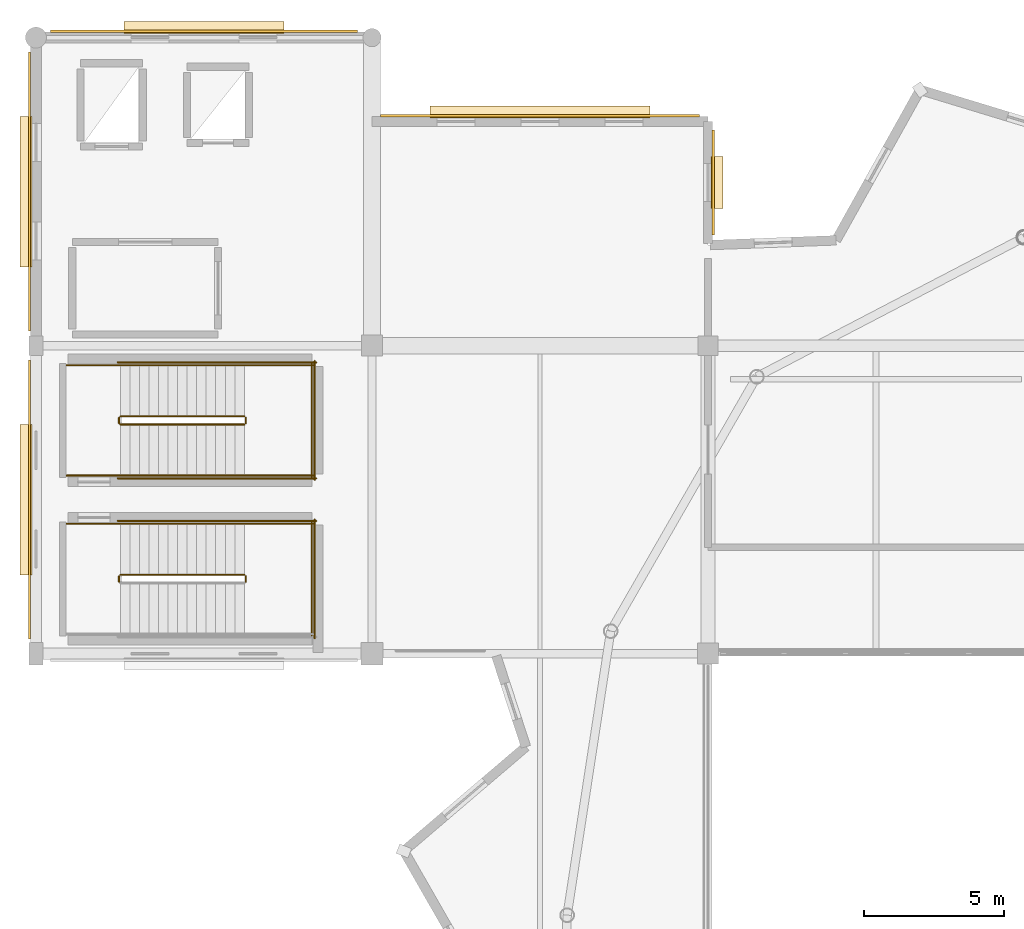
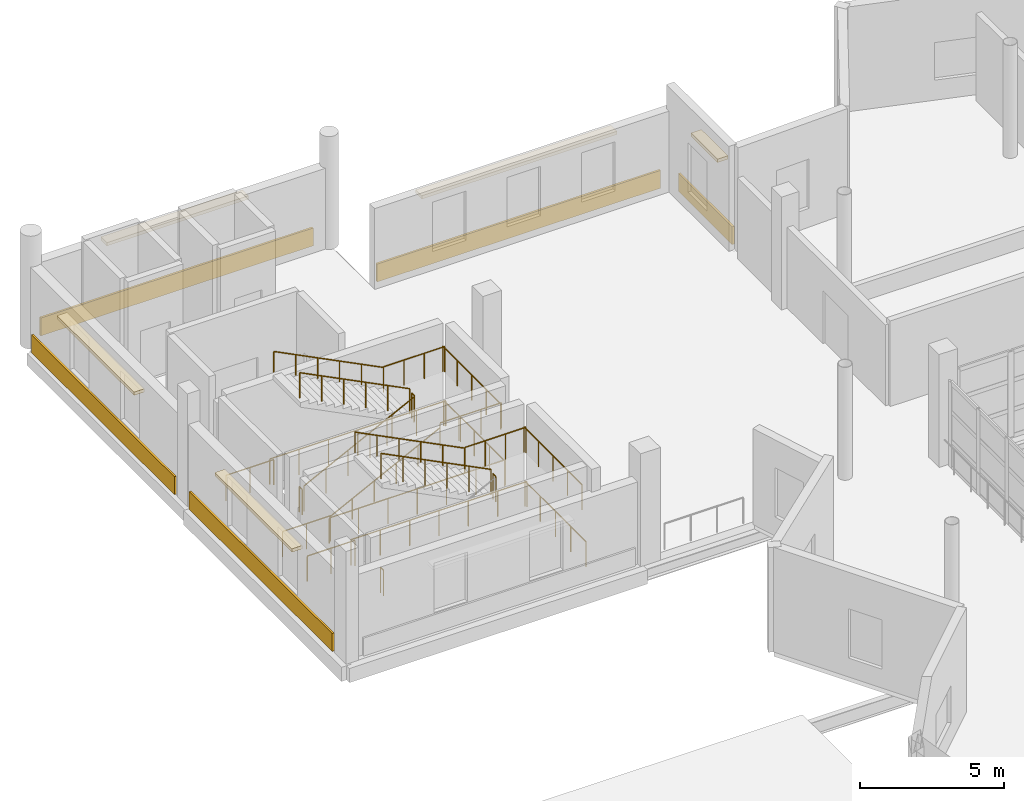
# One storey, part 50 of 53: 23 railings, 10 coverings.
"""IFC4 building model written with IfcOpenShell, lengths in metres."""

from ifc_helpers import new_model, si_unit, direction, frame, origin, origin_2d, place, context, subcontext, project, spatial, rectangle, circle, extrude, material, layer, layer_set, type_object, element, save


model = new_model("IFC4")

# Units and contexts
model_context = context("Model", 3, precision=1e-05, world=origin(), true_north=direction((0.0, 1.0)))
body_context = subcontext(model_context, "Body", "Model", "MODEL_VIEW")
ifc_project = project(units=[si_unit("LENGTHUNIT", "METRE"), si_unit("AREAUNIT", "SQUARE_METRE"), si_unit("VOLUMEUNIT", "CUBIC_METRE"), si_unit("PLANEANGLEUNIT", "RADIAN"), si_unit("MASSUNIT", "GRAM", prefix="KILO")], contexts=[model_context])

# Site, building, storey
site_placement = place(None, origin())
site = spatial("IfcSite", under=ifc_project, at=site_placement, CompositionType="ELEMENT")
building_placement = place(site_placement, origin())
building = spatial("IfcBuilding", under=site, at=building_placement, Name="Luwafu Chhajja Arena", CompositionType="ELEMENT")
storey_placement = place(building_placement, frame((0.0, 0.0, 19.5)))
storey = spatial("IfcBuildingStorey", under=building, at=storey_placement, Name="L04", CompositionType="ELEMENT", Elevation=19.5)

# Coverings
ifc_material_1 = material(Name="Red laterite sandstone cladding", Category="masonry")
ifc_layer = layer(ifc_material_1, 0.074951171875, Name="Red laterite sandstone cladding")
ifc_layer_set = layer_set([ifc_layer], Name="Red laterite sandstone cladding")
covering_type = type_object("IfcCoveringType", Name="Dressed Red-Laterite Sandstone Cladding", PredefinedType="CLADDING", material=ifc_layer_set)
covering_1_placement = place(storey_placement, frame((33.76806640625, 82.5, 0.0), z_axis=(0.0, 0.0, 1.0), x_axis=(0.0, 1.0, 0.0)))
element("IfcCovering", 1, at=covering_1_placement, inside=storey, type_object=covering_type, Name="L04 Red-Laterite Sandstone Plinth Cladding 109", PredefinedType="CLADDING", context=body_context, shape_type="SweptSolid", body=[
    extrude(rectangle(XDim=9.9599609375, YDim=0.0849609375, at=origin_2d()), origin(), (0.0, 0.0, 1.0), 0.760009765625),
])
covering_2_placement = place(storey_placement, frame((33.639892578125, 82.5, 2.93017578125), z_axis=(0.0, 0.0, 1.0), x_axis=(0.0, 1.0, 0.0)))
element("IfcCovering", 2, at=covering_2_placement, inside=storey, type_object=covering_type, Name="L04 Mughal Sandstone Window Chhajja Hood 0101", PredefinedType="CLADDING", context=body_context, shape_type="SweptSolid", body=[
    extrude(rectangle(XDim=5.3701171875, YDim=0.419921875, at=origin_2d()), origin(), (0.0, 0.0, 1.0), 0.139892578125),
])
covering_3_placement = place(storey_placement, frame((40.0, 99.23193359375, 0.0), z_axis=(0.0, 0.0, 1.0), x_axis=(1.0, 0.0, 0.0)))
element("IfcCovering", 3, at=covering_3_placement, inside=storey, type_object=covering_type, Name="L04 Red-Laterite Sandstone Plinth Cladding 110", PredefinedType="CLADDING", context=body_context, shape_type="SweptSolid", body=[
    extrude(rectangle(XDim=10.9599609375, YDim=0.0849609375, at=origin_2d()), origin(), (0.0, 0.0, 1.0), 0.760009765625),
])
covering_4_placement = place(storey_placement, frame((40.0, 99.360107421875, 2.93017578125), z_axis=(0.0, 0.0, 1.0), x_axis=(1.0, 0.0, 0.0)))
element("IfcCovering", 4, at=covering_4_placement, inside=storey, type_object=covering_type, Name="L04 Mughal Sandstone Window Chhajja Hood 0102", PredefinedType="CLADDING", context=body_context, shape_type="SweptSolid", body=[
    extrude(rectangle(XDim=5.703369140625, YDim=0.419921875, at=origin_2d()), origin(), (0.0, 0.0, 1.0), 0.139892578125),
])
covering_5_placement = place(storey_placement, frame((33.76806640625, 93.5, 0.0), z_axis=(0.0, 0.0, 1.0), x_axis=(0.0, 1.0, 0.0)))
element("IfcCovering", 5, at=covering_5_placement, inside=storey, type_object=covering_type, Name="L04 Red-Laterite Sandstone Plinth Cladding 111", PredefinedType="CLADDING", context=body_context, shape_type="SweptSolid", body=[
    extrude(rectangle(XDim=9.9599609375, YDim=0.0849609375, at=origin_2d()), origin(), (0.0, 0.0, 1.0), 0.760009765625),
])
covering_6_placement = place(storey_placement, frame((33.639892578125, 93.5, 2.93017578125), z_axis=(0.0, 0.0, 1.0), x_axis=(0.0, 1.0, 0.0)))
element("IfcCovering", 6, at=covering_6_placement, inside=storey, type_object=covering_type, Name="L04 Mughal Sandstone Window Chhajja Hood 0103", PredefinedType="CLADDING", context=body_context, shape_type="SweptSolid", body=[
    extrude(rectangle(XDim=5.3701171875, YDim=0.419921875, at=origin_2d()), origin(), (0.0, 0.0, 1.0), 0.139892578125),
])
covering_7_placement = place(storey_placement, frame((52.0, 96.2119140625, 0.0), z_axis=(0.0, 0.0, 1.0), x_axis=(1.0, 0.0, 0.0)))
element("IfcCovering", 7, at=covering_7_placement, inside=storey, type_object=covering_type, Name="L04 Red-Laterite Sandstone Plinth Cladding 113", PredefinedType="CLADDING", context=body_context, shape_type="SweptSolid", body=[
    extrude(rectangle(XDim=11.39990234375, YDim=0.0849609375, at=origin_2d()), origin(), (0.0, 0.0, 1.0), 0.760009765625),
])
covering_8_placement = place(storey_placement, frame((52.0, 96.340087890625, 2.93017578125), z_axis=(0.0, 0.0, 1.0), x_axis=(1.0, 0.0, 0.0)))
element("IfcCovering", 8, at=covering_8_placement, inside=storey, type_object=covering_type, Name="L04 Mughal Sandstone Window Chhajja Hood 0105", PredefinedType="CLADDING", context=body_context, shape_type="SweptSolid", body=[
    extrude(rectangle(XDim=7.85009765625, YDim=0.419921875, at=origin_2d()), origin(), (0.0, 0.0, 1.0), 0.139892578125),
])
covering_9_placement = place(storey_placement, frame((58.19189453125, 93.825927734375, 0.0), z_axis=(0.0, 0.0, 1.0), x_axis=(0.0, 1.0, 0.0)))
element("IfcCovering", 9, at=covering_9_placement, inside=storey, type_object=covering_type, Name="L04 Red-Laterite Sandstone Plinth Cladding 114", PredefinedType="CLADDING", context=body_context, shape_type="SweptSolid", body=[
    extrude(rectangle(XDim=3.748291015625, YDim=0.0849609375, at=origin_2d()), origin(), (0.0, 0.0, 1.0), 0.760009765625),
])
covering_10_placement = place(storey_placement, frame((58.320068359375, 93.82568359375, 2.93017578125), z_axis=(0.0, 0.0, 1.0), x_axis=(0.0, 1.0, 0.0)))
element("IfcCovering", 10, at=covering_10_placement, inside=storey, type_object=covering_type, Name="L04 Mughal Sandstone Window Chhajja Hood 0106", PredefinedType="CLADDING", context=body_context, shape_type="SweptSolid", body=[
    extrude(rectangle(XDim=1.85009765625, YDim=0.419921875, at=origin_2d()), origin(), (0.0, 0.0, 1.0), 0.139892578125),
])

# Railings
ifc_material_2 = material(Name="Stainless steel handrail", Category="steel")
railing_type_1 = type_object("IfcRailingType", Name="Stair Pitch Wall Handrail 920", PredefinedType="HANDRAIL", material=ifc_material_2)
railing_1_placement = place(storey_placement, frame((41.43994140625, 81.639892578125, 2.571533203125)))
element("IfcRailing", 11, at=railing_1_placement, inside=storey, type_object=railing_type_1, Name="L04 ST-05 stair handrail 2", PredefinedType="HANDRAIL", context=body_context, shape_type="SweptSolid", body=[
    extrude(circle(Radius=0.02392578125, at=origin_2d()), frame((0.0, 0.0, 0.8759765625), z_axis=(-0.89292277971, 0.0, 0.450209850486), x_axis=(0.0, -1.0, 0.0)), (0.0, 0.0, 1.0), 4.949951171875),
    extrude(circle(Radius=0.02099609375, at=origin_2d()), origin(), (0.0, 0.0, 1.0), 0.851806640625),
    extrude(circle(Radius=0.02099609375, at=origin_2d()), frame((-0.884033203125, 0.0, 0.44580078125)), (0.0, 0.0, 1.0), 0.851806640625),
    extrude(circle(Radius=0.02099609375, at=origin_2d()), frame((-1.76806640625, 0.0, 0.891357421875)), (0.0, 0.0, 1.0), 0.851806640625),
    extrude(circle(Radius=0.02099609375, at=origin_2d()), frame((-2.65185546875, 0.0, 1.337158203125)), (0.0, 0.0, 1.0), 0.851806640625),
    extrude(circle(Radius=0.02099609375, at=origin_2d()), frame((-3.535888671875, 0.0, 1.78271484375)), (0.0, 0.0, 1.0), 0.851806640625),
    extrude(circle(Radius=0.02099609375, at=origin_2d()), frame((-4.419921875, 0.0, 2.228515625)), (0.0, 0.0, 1.0), 0.851806640625),
])
railing_2_placement = place(storey_placement, frame((37.02001953125, 83.360107421875, 0.17138671875)))
element("IfcRailing", 12, at=railing_2_placement, inside=storey, type_object=railing_type_1, Name="L04 ST-06 stair handrail 1", PredefinedType="HANDRAIL", context=body_context, shape_type="SweptSolid", body=[
    extrude(circle(Radius=0.02392578125, at=origin_2d()), frame((0.0, 0.0, 0.8759765625), z_axis=(0.89292277971, 0.0, 0.450209850486), x_axis=(0.0, 1.0, 0.0)), (0.0, 0.0, 1.0), 4.949951171875),
    extrude(circle(Radius=0.02099609375, at=origin_2d()), origin(), (0.0, 0.0, 1.0), 0.851806640625),
    extrude(circle(Radius=0.02099609375, at=origin_2d()), frame((0.884033203125, 0.0, 0.44580078125)), (0.0, 0.0, 1.0), 0.851806640625),
    extrude(circle(Radius=0.02099609375, at=origin_2d()), frame((1.76806640625, 0.0, 0.891357421875)), (0.0, 0.0, 1.0), 0.851806640625),
    extrude(circle(Radius=0.02099609375, at=origin_2d()), frame((2.65185546875, 0.0, 1.337158203125)), (0.0, 0.0, 1.0), 0.851806640625),
    extrude(circle(Radius=0.02099609375, at=origin_2d()), frame((3.535888671875, 0.0, 1.78271484375)), (0.0, 0.0, 1.0), 0.851806640625),
    extrude(circle(Radius=0.02099609375, at=origin_2d()), frame((4.419921875, 0.0, 2.228515625)), (0.0, 0.0, 1.0), 0.851806640625),
])
railing_3_placement = place(storey_placement, frame((41.43994140625, 87.300048828125, 2.571533203125)))
element("IfcRailing", 13, at=railing_3_placement, inside=storey, type_object=railing_type_1, Name="L04 ST-06 stair handrail 2", PredefinedType="HANDRAIL", context=body_context, shape_type="SweptSolid", body=[
    extrude(circle(Radius=0.02392578125, at=origin_2d()), frame((0.0, 0.0, 0.8759765625), z_axis=(-0.89292277971, 0.0, 0.450209850486), x_axis=(0.0, -1.0, 0.0)), (0.0, 0.0, 1.0), 4.949951171875),
    extrude(circle(Radius=0.02099609375, at=origin_2d()), origin(), (0.0, 0.0, 1.0), 0.851806640625),
    extrude(circle(Radius=0.02099609375, at=origin_2d()), frame((-0.884033203125, 0.0, 0.44580078125)), (0.0, 0.0, 1.0), 0.851806640625),
    extrude(circle(Radius=0.02099609375, at=origin_2d()), frame((-1.76806640625, 0.0, 0.891357421875)), (0.0, 0.0, 1.0), 0.851806640625),
    extrude(circle(Radius=0.02099609375, at=origin_2d()), frame((-2.65185546875, 0.0, 1.337158203125)), (0.0, 0.0, 1.0), 0.851806640625),
    extrude(circle(Radius=0.02099609375, at=origin_2d()), frame((-3.535888671875, 0.0, 1.78271484375)), (0.0, 0.0, 1.0), 0.851806640625),
    extrude(circle(Radius=0.02099609375, at=origin_2d()), frame((-4.419921875, 0.0, 2.228515625)), (0.0, 0.0, 1.0), 0.851806640625),
])
ifc_material_3 = material(Name="Stainless steel balustrade", Category="steel")
railing_type_2 = type_object("IfcRailingType", Name="Stair and Terrace Guard Balustrade 1100", PredefinedType="BALUSTRADE", material=ifc_material_3)
railing_4_placement = place(storey_placement, frame((41.489990234375, 79.570068359375, 2.39990234375)))
element("IfcRailing", 14, at=railing_4_placement, inside=storey, type_object=railing_type_2, Name="L04 ST-05 stair guard 2", PredefinedType="BALUSTRADE", context=body_context, shape_type="SweptSolid", body=[
    extrude(circle(Radius=0.02392578125, at=origin_2d()), frame((0.0, 0.0, 1.076171875), z_axis=(0.0, 1.0, 0.0), x_axis=(-1.0, 0.0, 0.0)), (0.0, 0.0, 1.0), 0.199951171875),
    extrude(circle(Radius=0.02099609375, at=origin_2d()), origin(), (0.0, 0.0, 1.0), 1.052001953125),
    extrude(circle(Radius=0.02099609375, at=origin_2d()), frame((0.0, 0.199951171875, 0.0)), (0.0, 0.0, 1.0), 1.052001953125),
])
railing_5_placement = place(storey_placement, frame((41.43994140625, 81.639892578125, 2.39990234375)))
element("IfcRailing", 15, at=railing_5_placement, inside=storey, type_object=railing_type_2, Name="L04 ST-05 stair guard 4", PredefinedType="BALUSTRADE", context=body_context, shape_type="SweptSolid", body=[
    extrude(circle(Radius=0.02392578125, at=origin_2d()), frame((0.0, 0.0, 1.076171875), z_axis=(1.0, 0.0, 0.0), x_axis=(0.0, 1.0, 0.0)), (0.0, 0.0, 1.0), 2.4599609375),
    extrude(circle(Radius=0.02099609375, at=origin_2d()), origin(), (0.0, 0.0, 1.0), 1.052001953125),
    extrude(circle(Radius=0.02099609375, at=origin_2d()), frame((0.820068359375, 0.0, 0.0)), (0.0, 0.0, 1.0), 1.052001953125),
    extrude(circle(Radius=0.02099609375, at=origin_2d()), frame((1.639892578125, 0.0, 0.0)), (0.0, 0.0, 1.0), 1.052001953125),
    extrude(circle(Radius=0.02099609375, at=origin_2d()), frame((2.4599609375, 0.0, 0.0)), (0.0, 0.0, 1.0), 1.052001953125),
])
railing_6_placement = place(storey_placement, frame((43.85009765625, 77.64990234375, 2.39990234375)))
element("IfcRailing", 16, at=railing_6_placement, inside=storey, type_object=railing_type_2, Name="L04 ST-05 stair guard 5", PredefinedType="BALUSTRADE", context=body_context, shape_type="SweptSolid", body=[
    extrude(circle(Radius=0.02392578125, at=origin_2d()), frame((0.0, 0.0, 1.076171875), z_axis=(0.0, 1.0, 0.0), x_axis=(-1.0, 0.0, 0.0)), (0.0, 0.0, 1.0), 4.0400390625),
    extrude(circle(Radius=0.02099609375, at=origin_2d()), origin(), (0.0, 0.0, 1.0), 1.052001953125),
    extrude(circle(Radius=0.02099609375, at=origin_2d()), frame((0.0, 1.010009765625, 0.0)), (0.0, 0.0, 1.0), 1.052001953125),
    extrude(circle(Radius=0.02099609375, at=origin_2d()), frame((0.0, 2.02001953125, 0.0)), (0.0, 0.0, 1.0), 1.052001953125),
    extrude(circle(Radius=0.02099609375, at=origin_2d()), frame((0.0, 3.030029296875, 0.0)), (0.0, 0.0, 1.0), 1.052001953125),
    extrude(circle(Radius=0.02099609375, at=origin_2d()), frame((0.0, 4.0400390625, 0.0)), (0.0, 0.0, 1.0), 1.052001953125),
])
railing_7_placement = place(storey_placement, frame((41.43994140625, 79.820068359375, 2.571533203125)))
element("IfcRailing", 17, at=railing_7_placement, inside=storey, type_object=railing_type_2, Name="L04 ST-05 stair guard 6", PredefinedType="BALUSTRADE", context=body_context, shape_type="SweptSolid", body=[
    extrude(circle(Radius=0.02392578125, at=origin_2d()), frame((0.0, 0.0, 1.076171875), z_axis=(-0.89292277971, 0.0, 0.450209850486), x_axis=(0.0, -1.0, 0.0)), (0.0, 0.0, 1.0), 4.949951171875),
    extrude(circle(Radius=0.02099609375, at=origin_2d()), origin(), (0.0, 0.0, 1.0), 1.052001953125),
    extrude(circle(Radius=0.02099609375, at=origin_2d()), frame((-0.884033203125, 0.0, 0.44580078125)), (0.0, 0.0, 1.0), 1.052001953125),
    extrude(circle(Radius=0.02099609375, at=origin_2d()), frame((-1.76806640625, 0.0, 0.891357421875)), (0.0, 0.0, 1.0), 1.052001953125),
    extrude(circle(Radius=0.02099609375, at=origin_2d()), frame((-2.65185546875, 0.0, 1.337158203125)), (0.0, 0.0, 1.0), 1.052001953125),
    extrude(circle(Radius=0.02099609375, at=origin_2d()), frame((-3.535888671875, 0.0, 1.78271484375)), (0.0, 0.0, 1.0), 1.052001953125),
    extrude(circle(Radius=0.02099609375, at=origin_2d()), frame((-4.419921875, 0.0, 2.228515625)), (0.0, 0.0, 1.0), 1.052001953125),
])
railing_8_placement = place(storey_placement, frame((36.969970703125, 79.570068359375, 0.0)))
element("IfcRailing", 18, at=railing_8_placement, inside=storey, type_object=railing_type_2, Name="L04 ST-05 stair guard 7", PredefinedType="BALUSTRADE", context=body_context, shape_type="SweptSolid", body=[
    extrude(circle(Radius=0.02392578125, at=origin_2d()), frame((0.0, 0.0, 1.076171875), z_axis=(0.0, 1.0, 0.0), x_axis=(-1.0, 0.0, 0.0)), (0.0, 0.0, 1.0), 0.199951171875),
    extrude(circle(Radius=0.02099609375, at=origin_2d()), origin(), (0.0, 0.0, 1.0), 1.052001953125),
    extrude(circle(Radius=0.02099609375, at=origin_2d()), frame((0.0, 0.199951171875, 0.0)), (0.0, 0.0, 1.0), 1.052001953125),
])
railing_9_placement = place(storey_placement, frame((35.10009765625, 81.639892578125, 0.0)))
element("IfcRailing", 19, at=railing_9_placement, inside=storey, type_object=railing_type_2, Name="L04 ST-05 stair guard 9", PredefinedType="BALUSTRADE", context=body_context, shape_type="SweptSolid", body=[
    extrude(circle(Radius=0.02392578125, at=origin_2d()), frame((0.0, 0.0, 1.076171875), z_axis=(1.0, 0.0, 0.0), x_axis=(0.0, 1.0, 0.0)), (0.0, 0.0, 1.0), 1.919921875),
    extrude(circle(Radius=0.02099609375, at=origin_2d()), origin(), (0.0, 0.0, 1.0), 1.052001953125),
    extrude(circle(Radius=0.02099609375, at=origin_2d()), frame((0.9599609375, 0.0, 0.0)), (0.0, 0.0, 1.0), 1.052001953125),
    extrude(circle(Radius=0.02099609375, at=origin_2d()), frame((1.919921875, 0.0, 0.0)), (0.0, 0.0, 1.0), 1.052001953125),
])
railing_10_placement = place(storey_placement, frame((36.919921875, 81.739990234375, 0.0)))
element("IfcRailing", 20, at=railing_10_placement, inside=storey, type_object=railing_type_2, Name="L04 ST-05 stair guard 11", PredefinedType="BALUSTRADE", context=body_context, shape_type="SweptSolid", body=[
    extrude(circle(Radius=0.02392578125, at=origin_2d()), frame((0.0, 0.0, 1.076171875), z_axis=(1.0, 0.0, 0.0), x_axis=(0.0, 1.0, 0.0)), (0.0, 0.0, 1.0), 7.080078125),
    extrude(circle(Radius=0.02099609375, at=origin_2d()), origin(), (0.0, 0.0, 1.0), 1.052001953125),
    extrude(circle(Radius=0.02099609375, at=origin_2d()), frame((1.179931640625, 0.0, 0.0)), (0.0, 0.0, 1.0), 1.052001953125),
    extrude(circle(Radius=0.02099609375, at=origin_2d()), frame((2.360107421875, 0.0, 0.0)), (0.0, 0.0, 1.0), 1.052001953125),
    extrude(circle(Radius=0.02099609375, at=origin_2d()), frame((3.5400390625, 0.0, 0.0)), (0.0, 0.0, 1.0), 1.052001953125),
    extrude(circle(Radius=0.02099609375, at=origin_2d()), frame((4.719970703125, 0.0, 0.0)), (0.0, 0.0, 1.0), 1.052001953125),
    extrude(circle(Radius=0.02099609375, at=origin_2d()), frame((5.900146484375, 0.0, 0.0)), (0.0, 0.0, 1.0), 1.052001953125),
    extrude(circle(Radius=0.02099609375, at=origin_2d()), frame((7.080078125, 0.0, 0.0)), (0.0, 0.0, 1.0), 1.052001953125),
])
railing_11_placement = place(storey_placement, frame((43.949951171875, 77.550048828125, 0.0)))
element("IfcRailing", 21, at=railing_11_placement, inside=storey, type_object=railing_type_2, Name="L04 ST-05 stair guard 12", PredefinedType="BALUSTRADE", context=body_context, shape_type="SweptSolid", body=[
    extrude(circle(Radius=0.02392578125, at=origin_2d()), frame((0.0, 0.0, 1.076171875), z_axis=(0.0, 1.0, 0.0), x_axis=(-1.0, 0.0, 0.0)), (0.0, 0.0, 1.0), 4.239990234375),
    extrude(circle(Radius=0.02099609375, at=origin_2d()), origin(), (0.0, 0.0, 1.0), 1.052001953125),
    extrude(circle(Radius=0.02099609375, at=origin_2d()), frame((0.0, 1.06005859375, 0.0)), (0.0, 0.0, 1.0), 1.052001953125),
    extrude(circle(Radius=0.02099609375, at=origin_2d()), frame((0.0, 2.1201171875, 0.0)), (0.0, 0.0, 1.0), 1.052001953125),
    extrude(circle(Radius=0.02099609375, at=origin_2d()), frame((0.0, 3.179931640625, 0.0)), (0.0, 0.0, 1.0), 1.052001953125),
    extrude(circle(Radius=0.02099609375, at=origin_2d()), frame((0.0, 4.239990234375, 0.0)), (0.0, 0.0, 1.0), 1.052001953125),
])
railing_12_placement = place(storey_placement, frame((37.02001953125, 85.179931640625, 0.17138671875)))
element("IfcRailing", 22, at=railing_12_placement, inside=storey, type_object=railing_type_2, Name="L04 ST-06 stair guard 1", PredefinedType="BALUSTRADE", context=body_context, shape_type="SweptSolid", body=[
    extrude(circle(Radius=0.02392578125, at=origin_2d()), frame((0.0, 0.0, 1.076171875), z_axis=(0.89292277971, 0.0, 0.450209850486), x_axis=(0.0, 1.0, 0.0)), (0.0, 0.0, 1.0), 4.949951171875),
    extrude(circle(Radius=0.02099609375, at=origin_2d()), origin(), (0.0, 0.0, 1.0), 1.052001953125),
    extrude(circle(Radius=0.02099609375, at=origin_2d()), frame((0.884033203125, 0.0, 0.44580078125)), (0.0, 0.0, 1.0), 1.052001953125),
    extrude(circle(Radius=0.02099609375, at=origin_2d()), frame((1.76806640625, 0.0, 0.891357421875)), (0.0, 0.0, 1.0), 1.052001953125),
    extrude(circle(Radius=0.02099609375, at=origin_2d()), frame((2.65185546875, 0.0, 1.337158203125)), (0.0, 0.0, 1.0), 1.052001953125),
    extrude(circle(Radius=0.02099609375, at=origin_2d()), frame((3.535888671875, 0.0, 1.78271484375)), (0.0, 0.0, 1.0), 1.052001953125),
    extrude(circle(Radius=0.02099609375, at=origin_2d()), frame((4.419921875, 0.0, 2.228515625)), (0.0, 0.0, 1.0), 1.052001953125),
])
railing_13_placement = place(storey_placement, frame((41.489990234375, 85.22998046875, 2.39990234375)))
element("IfcRailing", 23, at=railing_13_placement, inside=storey, type_object=railing_type_2, Name="L04 ST-06 stair guard 2", PredefinedType="BALUSTRADE", context=body_context, shape_type="SweptSolid", body=[
    extrude(circle(Radius=0.02392578125, at=origin_2d()), frame((0.0, 0.0, 1.076171875), z_axis=(0.0, 1.0, 0.0), x_axis=(-1.0, 0.0, 0.0)), (0.0, 0.0, 1.0), 0.199951171875),
    extrude(circle(Radius=0.02099609375, at=origin_2d()), origin(), (0.0, 0.0, 1.0), 1.052001953125),
    extrude(circle(Radius=0.02099609375, at=origin_2d()), frame((0.0, 0.199951171875, 0.0)), (0.0, 0.0, 1.0), 1.052001953125),
])
for number, where, name in (
    (24, (41.43994140625, 83.360107421875, 2.39990234375), "L04 ST-06 stair guard 3"),
    (25, (41.43994140625, 87.300048828125, 2.39990234375), "L04 ST-06 stair guard 4"),
):
    element("IfcRailing", number, at=place(storey_placement, frame(where)), inside=storey, type_object=railing_type_2, Name=name, PredefinedType="BALUSTRADE", context=body_context, shape_type="SweptSolid", body=[
        extrude(circle(Radius=0.02392578125, at=origin_2d()), frame((0.0, 0.0, 1.076171875), z_axis=(1.0, 0.0, 0.0), x_axis=(0.0, 1.0, 0.0)), (0.0, 0.0, 1.0), 2.4599609375),
        extrude(circle(Radius=0.02099609375, at=origin_2d()), origin(), (0.0, 0.0, 1.0), 1.052001953125),
        extrude(circle(Radius=0.02099609375, at=origin_2d()), frame((0.820068359375, 0.0, 0.0)), (0.0, 0.0, 1.0), 1.052001953125),
        extrude(circle(Radius=0.02099609375, at=origin_2d()), frame((1.639892578125, 0.0, 0.0)), (0.0, 0.0, 1.0), 1.052001953125),
        extrude(circle(Radius=0.02099609375, at=origin_2d()), frame((2.4599609375, 0.0, 0.0)), (0.0, 0.0, 1.0), 1.052001953125),
    ])
railing_14_placement = place(storey_placement, frame((43.85009765625, 83.31005859375, 2.39990234375)))
element("IfcRailing", 26, at=railing_14_placement, inside=storey, type_object=railing_type_2, Name="L04 ST-06 stair guard 5", PredefinedType="BALUSTRADE", context=body_context, shape_type="SweptSolid", body=[
    extrude(circle(Radius=0.02392578125, at=origin_2d()), frame((0.0, 0.0, 1.076171875), z_axis=(0.0, 1.0, 0.0), x_axis=(-1.0, 0.0, 0.0)), (0.0, 0.0, 1.0), 4.0400390625),
    extrude(circle(Radius=0.02099609375, at=origin_2d()), origin(), (0.0, 0.0, 1.0), 1.052001953125),
    extrude(circle(Radius=0.02099609375, at=origin_2d()), frame((0.0, 1.010009765625, 0.0)), (0.0, 0.0, 1.0), 1.052001953125),
    extrude(circle(Radius=0.02099609375, at=origin_2d()), frame((0.0, 2.02001953125, 0.0)), (0.0, 0.0, 1.0), 1.052001953125),
    extrude(circle(Radius=0.02099609375, at=origin_2d()), frame((0.0, 3.030029296875, 0.0)), (0.0, 0.0, 1.0), 1.052001953125),
    extrude(circle(Radius=0.02099609375, at=origin_2d()), frame((0.0, 4.0400390625, 0.0)), (0.0, 0.0, 1.0), 1.052001953125),
])
railing_15_placement = place(storey_placement, frame((41.43994140625, 85.47998046875, 2.571533203125)))
element("IfcRailing", 27, at=railing_15_placement, inside=storey, type_object=railing_type_2, Name="L04 ST-06 stair guard 6", PredefinedType="BALUSTRADE", context=body_context, shape_type="SweptSolid", body=[
    extrude(circle(Radius=0.02392578125, at=origin_2d()), frame((0.0, 0.0, 1.076171875), z_axis=(-0.89292277971, 0.0, 0.450209850486), x_axis=(0.0, -1.0, 0.0)), (0.0, 0.0, 1.0), 4.949951171875),
    extrude(circle(Radius=0.02099609375, at=origin_2d()), origin(), (0.0, 0.0, 1.0), 1.052001953125),
    extrude(circle(Radius=0.02099609375, at=origin_2d()), frame((-0.884033203125, 0.0, 0.44580078125)), (0.0, 0.0, 1.0), 1.052001953125),
    extrude(circle(Radius=0.02099609375, at=origin_2d()), frame((-1.76806640625, 0.0, 0.891357421875)), (0.0, 0.0, 1.0), 1.052001953125),
    extrude(circle(Radius=0.02099609375, at=origin_2d()), frame((-2.65185546875, 0.0, 1.337158203125)), (0.0, 0.0, 1.0), 1.052001953125),
    extrude(circle(Radius=0.02099609375, at=origin_2d()), frame((-3.535888671875, 0.0, 1.78271484375)), (0.0, 0.0, 1.0), 1.052001953125),
    extrude(circle(Radius=0.02099609375, at=origin_2d()), frame((-4.419921875, 0.0, 2.228515625)), (0.0, 0.0, 1.0), 1.052001953125),
])
railing_16_placement = place(storey_placement, frame((36.969970703125, 85.22998046875, 0.0)))
element("IfcRailing", 28, at=railing_16_placement, inside=storey, type_object=railing_type_2, Name="L04 ST-06 stair guard 7", PredefinedType="BALUSTRADE", context=body_context, shape_type="SweptSolid", body=[
    extrude(circle(Radius=0.02392578125, at=origin_2d()), frame((0.0, 0.0, 1.076171875), z_axis=(0.0, 1.0, 0.0), x_axis=(-1.0, 0.0, 0.0)), (0.0, 0.0, 1.0), 0.199951171875),
    extrude(circle(Radius=0.02099609375, at=origin_2d()), origin(), (0.0, 0.0, 1.0), 1.052001953125),
    extrude(circle(Radius=0.02099609375, at=origin_2d()), frame((0.0, 0.199951171875, 0.0)), (0.0, 0.0, 1.0), 1.052001953125),
])
for number, where, name in (
    (29, (35.10009765625, 83.360107421875, 0.0), "L04 ST-06 stair guard 8"),
    (30, (35.10009765625, 87.300048828125, 0.0), "L04 ST-06 stair guard 9"),
):
    element("IfcRailing", number, at=place(storey_placement, frame(where)), inside=storey, type_object=railing_type_2, Name=name, PredefinedType="BALUSTRADE", context=body_context, shape_type="SweptSolid", body=[
        extrude(circle(Radius=0.02392578125, at=origin_2d()), frame((0.0, 0.0, 1.076171875), z_axis=(1.0, 0.0, 0.0), x_axis=(0.0, 1.0, 0.0)), (0.0, 0.0, 1.0), 1.919921875),
        extrude(circle(Radius=0.02099609375, at=origin_2d()), origin(), (0.0, 0.0, 1.0), 1.052001953125),
        extrude(circle(Radius=0.02099609375, at=origin_2d()), frame((0.9599609375, 0.0, 0.0)), (0.0, 0.0, 1.0), 1.052001953125),
        extrude(circle(Radius=0.02099609375, at=origin_2d()), frame((1.919921875, 0.0, 0.0)), (0.0, 0.0, 1.0), 1.052001953125),
    ])
for number, where, name in (
    (31, (36.919921875, 83.260009765625, 0.0), "L04 ST-06 stair guard 10"),
    (32, (36.919921875, 87.39990234375, 0.0), "L04 ST-06 stair guard 11"),
):
    element("IfcRailing", number, at=place(storey_placement, frame(where)), inside=storey, type_object=railing_type_2, Name=name, PredefinedType="BALUSTRADE", context=body_context, shape_type="SweptSolid", body=[
        extrude(circle(Radius=0.02392578125, at=origin_2d()), frame((0.0, 0.0, 1.076171875), z_axis=(1.0, 0.0, 0.0), x_axis=(0.0, 1.0, 0.0)), (0.0, 0.0, 1.0), 7.080078125),
        extrude(circle(Radius=0.02099609375, at=origin_2d()), origin(), (0.0, 0.0, 1.0), 1.052001953125),
        extrude(circle(Radius=0.02099609375, at=origin_2d()), frame((1.179931640625, 0.0, 0.0)), (0.0, 0.0, 1.0), 1.052001953125),
        extrude(circle(Radius=0.02099609375, at=origin_2d()), frame((2.360107421875, 0.0, 0.0)), (0.0, 0.0, 1.0), 1.052001953125),
        extrude(circle(Radius=0.02099609375, at=origin_2d()), frame((3.5400390625, 0.0, 0.0)), (0.0, 0.0, 1.0), 1.052001953125),
        extrude(circle(Radius=0.02099609375, at=origin_2d()), frame((4.719970703125, 0.0, 0.0)), (0.0, 0.0, 1.0), 1.052001953125),
        extrude(circle(Radius=0.02099609375, at=origin_2d()), frame((5.900146484375, 0.0, 0.0)), (0.0, 0.0, 1.0), 1.052001953125),
        extrude(circle(Radius=0.02099609375, at=origin_2d()), frame((7.080078125, 0.0, 0.0)), (0.0, 0.0, 1.0), 1.052001953125),
    ])
railing_17_placement = place(storey_placement, frame((43.949951171875, 83.2099609375, 0.0)))
element("IfcRailing", 33, at=railing_17_placement, inside=storey, type_object=railing_type_2, Name="L04 ST-06 stair guard 12", PredefinedType="BALUSTRADE", context=body_context, shape_type="SweptSolid", body=[
    extrude(circle(Radius=0.02392578125, at=origin_2d()), frame((0.0, 0.0, 1.076171875), z_axis=(0.0, 1.0, 0.0), x_axis=(-1.0, 0.0, 0.0)), (0.0, 0.0, 1.0), 4.239990234375),
    extrude(circle(Radius=0.02099609375, at=origin_2d()), origin(), (0.0, 0.0, 1.0), 1.052001953125),
    extrude(circle(Radius=0.02099609375, at=origin_2d()), frame((0.0, 1.06005859375, 0.0)), (0.0, 0.0, 1.0), 1.052001953125),
    extrude(circle(Radius=0.02099609375, at=origin_2d()), frame((0.0, 2.1201171875, 0.0)), (0.0, 0.0, 1.0), 1.052001953125),
    extrude(circle(Radius=0.02099609375, at=origin_2d()), frame((0.0, 3.179931640625, 0.0)), (0.0, 0.0, 1.0), 1.052001953125),
    extrude(circle(Radius=0.02099609375, at=origin_2d()), frame((0.0, 4.239990234375, 0.0)), (0.0, 0.0, 1.0), 1.052001953125),
])

save(model, "model.ifc")
